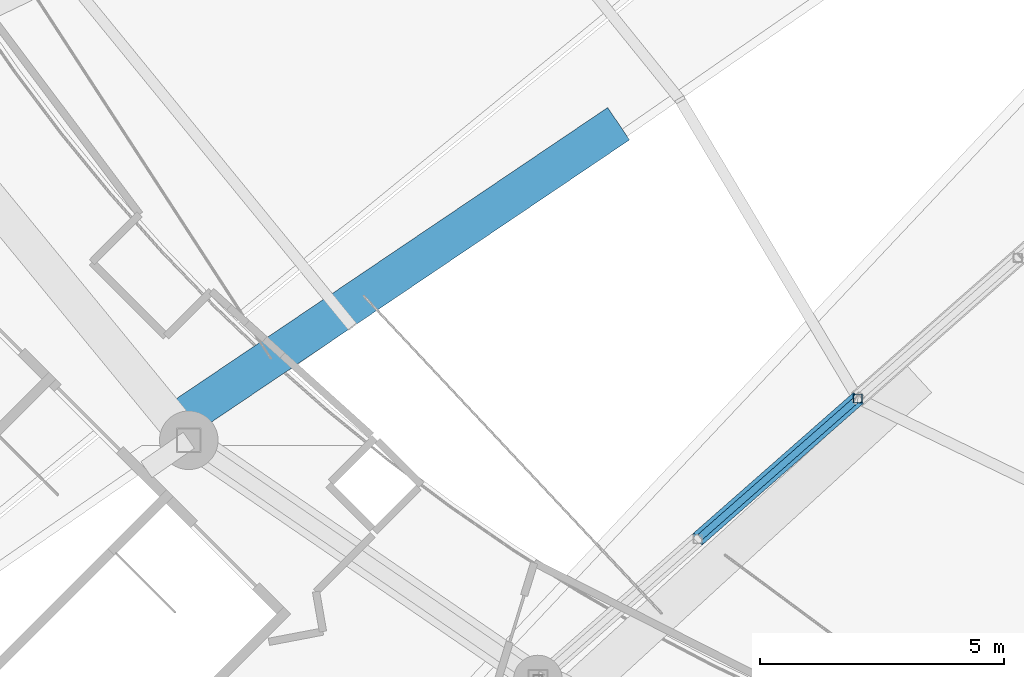
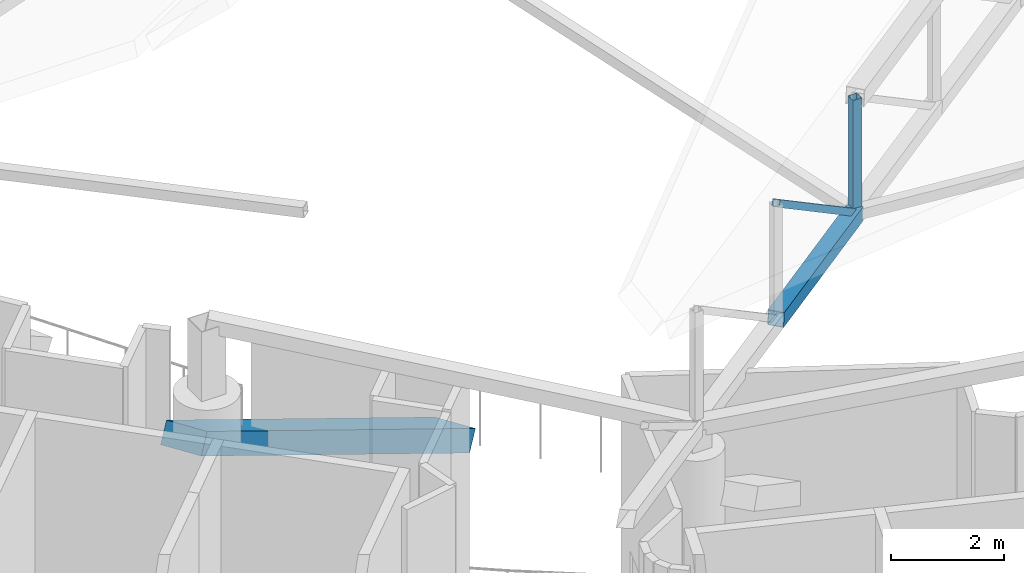
# One storey, part 9 of 344: 3 members, 1 beam.
"""IFC4 building model written with IfcOpenShell, lengths in metres."""

from ifc_helpers import new_model, si_unit, direction, frame, origin, origin_2d, place, context, subcontext, project, spatial, rectangle, hollow_rectangle, extrude, material, material_profile, profile_set, type_object, element, save


model = new_model("IFC4")

# Units and contexts
model_context = context("Model", 3, precision=1e-05, world=origin(), true_north=direction((0.0, 1.0)))
body_context = subcontext(model_context, "Body", "Model", "MODEL_VIEW")
ifc_project = project(units=[si_unit("LENGTHUNIT", "METRE"), si_unit("AREAUNIT", "SQUARE_METRE"), si_unit("VOLUMEUNIT", "CUBIC_METRE"), si_unit("PLANEANGLEUNIT", "RADIAN"), si_unit("MASSUNIT", "GRAM", prefix="KILO")], contexts=[model_context])

# Site, building, storey
site_placement = place(None, origin())
site = spatial("IfcSite", under=ifc_project, at=site_placement, CompositionType="ELEMENT")
building_placement = place(site_placement, origin())
building = spatial("IfcBuilding", under=site, at=building_placement, Name="Meseta Stadium", CompositionType="ELEMENT")
storey_placement = place(building_placement, frame((0.0, 0.0, 24.0)))
storey = spatial("IfcBuildingStorey", under=building, at=storey_placement, Name="L04", CompositionType="ELEMENT", Elevation=24.0)

# Beam
ifc_material_1 = material(Name="Concrete C40/50", Category="concrete")
ifc_material_profile_1 = material_profile(ifc_material_1, rectangle(XDim=0.800048828125, YDim=0.449951171875, at=origin_2d()), Name="RC 800x450")
ifc_profile_set_1 = profile_set([ifc_material_profile_1], Name="Concrete C40/50")
beam_type = type_object("IfcBeamType", Name="RC raker upper rear 800x450", PredefinedType="USERDEFINED", material=ifc_profile_set_1)
beam_placement = place(storey_placement, frame((-63.068115234375, -73.469970703125, -1.89404296875), z_axis=(-0.703356871616, -0.474805643878, 0.529007288883), x_axis=(0.5595050383, -0.82882694944, 0.0)))
element("IfcBeam", 1, at=beam_placement, inside=storey, type_object=beam_type, Name="Raker upper rear frame 40 upper tier", ObjectType="RAKER", PredefinedType="USERDEFINED", context=body_context, shape_type="SweptSolid", body=[
    extrude(rectangle(XDim=0.800048828125, YDim=0.449951171875, at=origin_2d()), origin(), (0.0, 0.0, 1.0), 12.74267578125),
])

# Members
ifc_material_2 = material(Name="Steel S355", Category="steel")
ifc_material_profile_2 = material_profile(ifc_material_2, hollow_rectangle(XDim=0.139892578125, YDim=0.139892578125, WallThickness=0.0048828125, at=origin_2d()), Name="SHS 140x140x5")
ifc_profile_set_2 = profile_set([ifc_material_profile_2], Name="Steel S355")
member_type_1 = type_object("IfcMemberType", Name="SHS 140x140x5 diagonal", PredefinedType="BRACE", material=ifc_profile_set_2)
member_1_placement = place(storey_placement, frame((-58.068115234375, -79.032470703125, 4.52734375), z_axis=(-0.612494237842, -0.538299524981, 0.578864776969), x_axis=(0.660147138656, -0.751136309416, 0.0)))
element("IfcMember", 2, at=member_1_placement, inside=storey, type_object=member_type_1, Name="ROOF TRUSS RT-41 diagonal", PredefinedType="BRACE", context=body_context, shape_type="SweptSolid", body=[
    extrude(hollow_rectangle(XDim=0.139892578125, YDim=0.139892578125, WallThickness=0.0048828125, at=origin_2d()), origin(), (0.0, 0.0, 1.0), 5.350341796875),
])
ifc_material_3 = material(Name="Steel S355", Category="steel")
ifc_material_profile_3 = material_profile(ifc_material_3, hollow_rectangle(XDim=0.179931640625, YDim=0.179931640625, WallThickness=0.00634765625, at=origin_2d()), Name="SHS 180x180x6.3")
ifc_profile_set_3 = profile_set([ifc_material_profile_3], Name="Steel S355")
member_type_2 = type_object("IfcMemberType", Name="SHS 180x180x6.3 post", PredefinedType="POST", material=ifc_profile_set_3)
member_2_placement = place(storey_placement, frame((-58.068115234375, -79.032470703125, 4.52734375), z_axis=(0.0, 0.0, 1.0), x_axis=(1.0, 0.0, 0.0)))
element("IfcMember", 3, at=member_2_placement, inside=storey, type_object=member_type_2, Name="ROOF TRUSS RT-41 post", PredefinedType="POST", context=body_context, shape_type="SweptSolid", body=[
    extrude(hollow_rectangle(XDim=0.179931640625, YDim=0.179931640625, WallThickness=0.00634765625, at=origin_2d()), origin(), (0.0, 0.0, 1.0), 2.49365234375),
])
ifc_material_4 = material(Name="Steel S355", Category="steel")
ifc_material_profile_4 = material_profile(ifc_material_4, hollow_rectangle(XDim=0.300048828125, YDim=0.300048828125, WallThickness=0.010009765625, at=origin_2d()), Name="SHS 300x300x10")
ifc_profile_set_4 = profile_set([ifc_material_profile_4], Name="Steel S355")
member_type_3 = type_object("IfcMemberType", Name="SHS 300x300x10 bottom chord", PredefinedType="CHORD", material=ifc_profile_set_4)
member_3_placement = place(storey_placement, frame((-58.068115234375, -79.032470703125, 4.52734375), z_axis=(-0.744051221143, -0.653920305135, 0.137025599245), x_axis=(0.660147138656, -0.751136309416, 0.0)))
element("IfcMember", 4, at=member_3_placement, inside=storey, type_object=member_type_3, Name="ROOF TRUSS RT-41 bottom chord", PredefinedType="CHORD", context=body_context, shape_type="SweptSolid", body=[
    extrude(hollow_rectangle(XDim=0.300048828125, YDim=0.300048828125, WallThickness=0.010009765625, at=origin_2d()), origin(), (0.0, 0.0, 1.0), 4.404296875),
])

save(model, "model.ifc")
